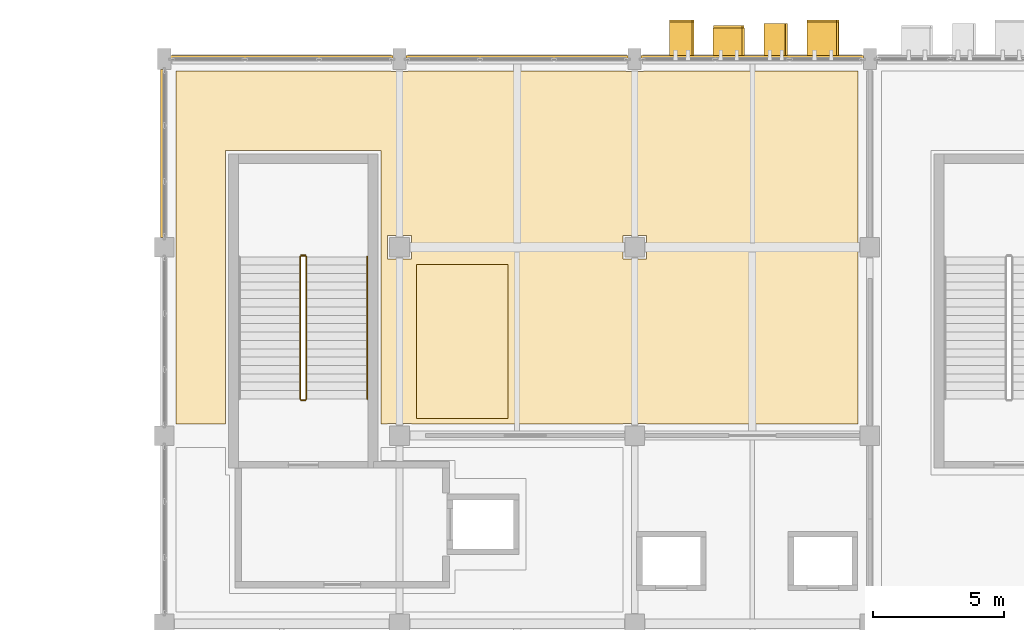
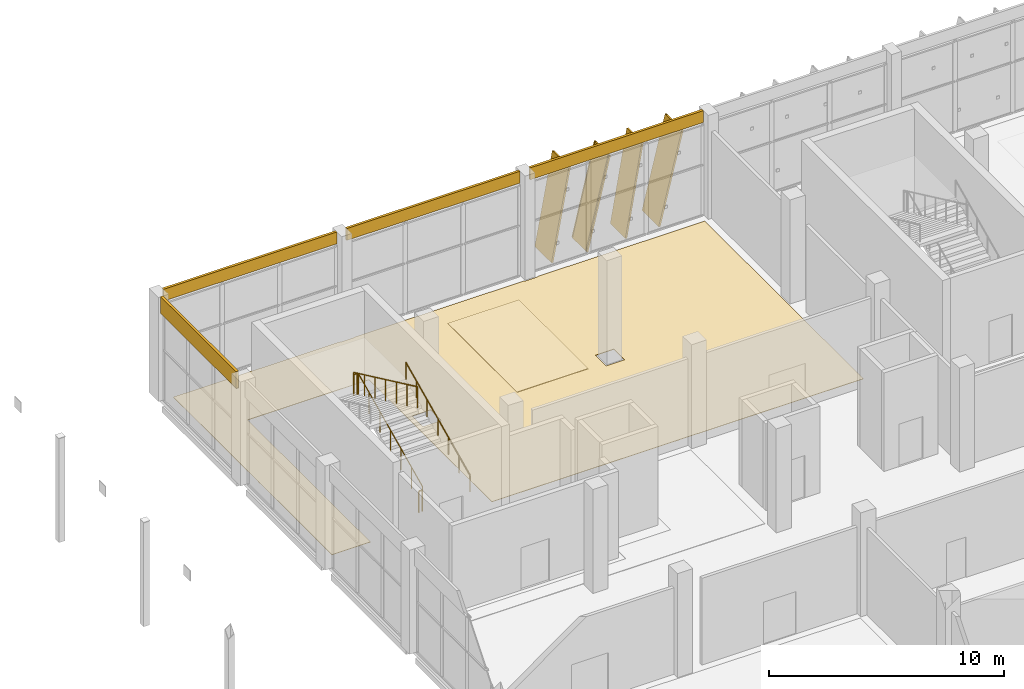
# One storey, part 178 of 189: 10 coverings, 5 railings, 4 shading devices.
"""IFC4 building model written with IfcOpenShell, lengths in metres."""

from ifc_helpers import new_model, si_unit, direction, frame, origin, origin_2d, place, context, subcontext, project, spatial, polyline, rectangle, circle, outline, extrude, material, layer, layer_set, material_profile, profile_set, type_object, element, save


model = new_model("IFC4")

# Units and contexts
model_context = context("Model", 3, precision=1e-05, world=origin(), true_north=direction((0.0, 1.0)))
body_context = subcontext(model_context, "Body", "Model", "MODEL_VIEW")
ifc_project = project(units=[si_unit("LENGTHUNIT", "METRE"), si_unit("AREAUNIT", "SQUARE_METRE"), si_unit("VOLUMEUNIT", "CUBIC_METRE"), si_unit("PLANEANGLEUNIT", "RADIAN"), si_unit("MASSUNIT", "GRAM", prefix="KILO")], contexts=[model_context])

# Site, building, storey
site_placement = place(None, origin())
site = spatial("IfcSite", under=ifc_project, at=site_placement, CompositionType="ELEMENT")
building_placement = place(site_placement, origin())
building = spatial("IfcBuilding", under=site, at=building_placement, Name="Celestram Park Convention Centre", CompositionType="ELEMENT")
storey_placement = place(building_placement, frame((0.0, 0.0, 5.39990234375)))
storey = spatial("IfcBuildingStorey", under=building, at=storey_placement, Name="L01", CompositionType="ELEMENT", Elevation=5.39990234375)

# Coverings
ifc_material_1 = material(Name="Anodised Bronze Aluminium Spandrel Cladding", Category="aluminium")
ifc_layer_1 = layer(ifc_material_1, 0.050048828125)
ifc_layer_set_1 = layer_set([ifc_layer_1], Name="Anodised Bronze Aluminium Spandrel Cladding")
covering_type_1 = type_object("IfcCoveringType", Name="ARC-COV-CLD060", PredefinedType="CLADDING", material=ifc_layer_set_1)
covering_1_placement = place(storey_placement, frame((35.919921875, 162.0, 4.528076171875), z_axis=(0.0, 0.0, 1.0), x_axis=(0.0, 1.0, 0.0)))
element("IfcCovering", 1, at=covering_1_placement, inside=storey, type_object=covering_type_1, Name="Bronze spandrel cladding CL-L01-054", PredefinedType="CLADDING", context=body_context, shape_type="SweptSolid", body=[
    extrude(rectangle(XDim=6.428955078125, YDim=0.1201171875, at=origin_2d()), origin(), (0.0, 0.0, 1.0), 0.8720703125),
])
for number, where, z_axis, x_axis, name in (
    (2, (40.5, 165.679931640625, 4.7841796875), (0.0, 0.0, 1.0), (1.0, 0.0, 0.0), "Bronze spandrel cladding CL-L01-055"),
    (3, (49.5, 165.679931640625, 4.7841796875), (0.0, 0.0, 1.0), (1.0, 0.0, 0.0), "Bronze spandrel cladding CL-L01-056"),
    (4, (58.5, 165.679931640625, 4.7841796875), (0.0, 0.0, 1.0), (1.0, 0.0, 0.0), "Bronze spandrel cladding CL-L01-057"),
):
    element("IfcCovering", number, at=place(storey_placement, frame(where, z_axis=z_axis, x_axis=x_axis)), inside=storey, type_object=covering_type_1, Name=name, PredefinedType="CLADDING", context=body_context, shape_type="SweptSolid", body=[
        extrude(rectangle(XDim=8.50390625, YDim=0.1201171875, at=origin_2d()), origin(), (0.0, 0.0, 1.0), 0.615966796875),
    ])
ifc_material_2 = material(Name="Perforated Acoustic Mineral-Fibre Baffle Ceiling", Category="gypsum")
ifc_layer_2 = layer(ifc_material_2, 0.0400390625)
ifc_layer_set_2 = layer_set([ifc_layer_2], Name="Perforated Acoustic Mineral-Fibre Baffle Ceiling")
covering_type_2 = type_object("IfcCoveringType", Name="ARC-COV-CLG040", PredefinedType="CEILING", material=ifc_layer_set_2)
covering_2_placement = place(storey_placement, frame((0.0, 0.0, 5.080078125)))
element("IfcCovering", 5, at=covering_2_placement, inside=storey, type_object=covering_type_2, Name="Breakout Seminar Room 104 acoustic baffle ceiling", PredefinedType="CEILING", context=body_context, shape_type="SweptSolid", body=[
    extrude(outline(polyline([(45.64990234375, 151.85009765625), (49.14990234375, 151.85009765625), (49.14990234375, 157.75), (45.64990234375, 157.75), (45.64990234375, 151.85009765625)])), origin(), (0.0, 0.0, 1.0), 0.0400390625),
])
ifc_material_3 = material(Name="Timber-Toned Anodised Aluminium Alloy 6063-T6", Category="wood")
ifc_material_profile_1 = material_profile(ifc_material_3, rectangle(XDim=1.1201171875, YDim=0.090087890625, at=origin_2d()), Name="REED1120X90")
ifc_profile_set_1 = profile_set([ifc_material_profile_1], Name="Timber-Toned Anodised Aluminium Alloy 6063-T6")
covering_type_3 = type_object("IfcCoveringType", Name="ARC-COV-FIN1120", PredefinedType="CLADDING", material=ifc_profile_set_1)
covering_3_placement = place(storey_placement, frame((57.049072265625, 166.239990234375, 0.06982421875), z_axis=(0.231766325176, 0.0, 0.972771489361), x_axis=(0.0, 1.0, 0.0)))
element("IfcCovering", 6, at=covering_3_placement, inside=storey, type_object=covering_type_3, Name="Leaning timber-toned reed fin RFN-L01-0149", PredefinedType="CLADDING", context=body_context, shape_type="SweptSolid", body=[
    extrude(rectangle(XDim=1.1201171875, YDim=0.090087890625, at=origin_2d()), origin(), (0.0, 0.0, 1.0), 4.75390625),
])
ifc_material_profile_2 = material_profile(ifc_material_3, rectangle(XDim=1.280029296875, YDim=0.090087890625, at=origin_2d()), Name="REED1280X90")
ifc_profile_set_2 = profile_set([ifc_material_profile_2], Name="Timber-Toned Anodised Aluminium Alloy 6063-T6")
covering_type_4 = type_object("IfcCoveringType", Name="ARC-COV-FIN1280", PredefinedType="CLADDING", material=ifc_profile_set_2)
covering_4_placement = place(storey_placement, frame((58.995361328125, 166.320068359375, 0.039794921875), z_axis=(0.170242256857, 0.0, 0.985402239687), x_axis=(0.0, 1.0, 0.0)))
element("IfcCovering", 7, at=covering_4_placement, inside=storey, type_object=covering_type_4, Name="Leaning timber-toned reed fin RFN-L01-0150", PredefinedType="CLADDING", context=body_context, shape_type="SweptSolid", body=[
    extrude(rectangle(XDim=1.280029296875, YDim=0.090087890625, at=origin_2d()), origin(), (0.0, 0.0, 1.0), 4.75390625),
])
ifc_material_profile_3 = material_profile(ifc_material_3, rectangle(XDim=1.419921875, YDim=0.090087890625, at=origin_2d()), Name="REED1420X90")
ifc_profile_set_3 = profile_set([ifc_material_profile_3], Name="Timber-Toned Anodised Aluminium Alloy 6063-T6")
covering_type_5 = type_object("IfcCoveringType", Name="ARC-COV-FIN1420", PredefinedType="CLADDING", material=ifc_profile_set_3)
for number, where, z_axis, x_axis, name in (
    (8, (55.370849609375, 166.389892578125, 0.044189453125), (0.180516672672, 0.0, 0.983571924613), (0.0, 1.0, 0.0), "Leaning timber-toned reed fin RFN-L01-0148"),
    (9, (60.633056640625, 166.389892578125, 0.07373046875), (0.238545978049, 0.0, 0.971131204502), (0.0, 1.0, 0.0), "Leaning timber-toned reed fin RFN-L01-0151"),
):
    element("IfcCovering", number, at=place(storey_placement, frame(where, z_axis=z_axis, x_axis=x_axis)), inside=storey, type_object=covering_type_5, Name=name, PredefinedType="CLADDING", context=body_context, shape_type="SweptSolid", body=[
        extrude(rectangle(XDim=1.419921875, YDim=0.090087890625, at=origin_2d()), origin(), (0.0, 0.0, 1.0), 4.75390625),
    ])
ifc_material_4 = material(Name="Polished Lakefront Aggregate Terrazzo Flooring", Category="concrete")
ifc_layer_3 = layer(ifc_material_4, 0.02001953125)
ifc_layer_set_3 = layer_set([ifc_layer_3], Name="Polished Lakefront Aggregate Terrazzo Flooring")
covering_type_6 = type_object("IfcCoveringType", Name="ARC-COV-FLR020", PredefinedType="FLOORING", material=ifc_layer_set_3)
covering_5_placement = place(storey_placement, origin())
element("IfcCovering", 10, at=covering_5_placement, inside=storey, type_object=covering_type_6, Name="Breakout Seminar Room 104 terrazzo flooring", PredefinedType="FLOORING", context=body_context, shape_type="SweptSolid", body=[
    extrude(outline(polyline([(44.672119140625, 165.14990234375), (44.672119140625, 165.1220703125), (45.327880859375, 165.1220703125), (45.327880859375, 165.14990234375), (53.672119140625, 165.14990234375), (53.672119140625, 165.1220703125), (54.327880859375, 165.1220703125), (54.327880859375, 165.14990234375), (62.550048828125, 165.14990234375), (62.550048828125, 158.85302734375), (62.547119140625, 158.85302734375), (62.547119140625, 157.947021484375), (62.550048828125, 157.947021484375), (62.550048828125, 151.653076171875), (62.547119140625, 151.653076171875), (62.547119140625, 151.64990234375), (54.452880859375, 151.64990234375), (54.452880859375, 151.653076171875), (53.547119140625, 151.653076171875), (53.547119140625, 151.64990234375), (45.452880859375, 151.64990234375), (45.452880859375, 151.653076171875), (44.547119140625, 151.653076171875), (44.547119140625, 151.64990234375), (44.300048828125, 151.64990234375), (44.300048828125, 162.10009765625), (38.340087890625, 162.10009765625), (38.340087890625, 151.64990234375), (36.452880859375, 151.64990234375), (36.452880859375, 151.653076171875), (36.449951171875, 151.653076171875), (36.449951171875, 157.947021484375), (36.452880859375, 157.947021484375), (36.452880859375, 158.85302734375), (36.449951171875, 158.85302734375), (36.449951171875, 165.14990234375), (44.672119140625, 165.14990234375)]), holes=[polyline([(45.452880859375, 158.85302734375), (44.547119140625, 158.85302734375), (44.547119140625, 157.947021484375), (45.452880859375, 157.947021484375), (45.452880859375, 158.85302734375)]), polyline([(54.452880859375, 158.85302734375), (53.547119140625, 158.85302734375), (53.547119140625, 157.947021484375), (54.452880859375, 157.947021484375), (54.452880859375, 158.85302734375)])]), origin(), (0.0, 0.0, 1.0), 0.02001953125),
])

# Shading devices
ifc_material_5 = material(Name="Anodised Bronze Aluminium Alloy 6063-T6", Category="aluminium")
ifc_material_profile_4 = material_profile(ifc_material_5, rectangle(XDim=1.280029296875, YDim=0.080078125, at=origin_2d()), Name="FIN1280X80")
ifc_profile_set_4 = profile_set([ifc_material_profile_4], Name="Anodised Bronze Aluminium Alloy 6063-T6")
shading_device_type = type_object("IfcShadingDeviceType", Name="ARC-FIN-BZ1280", PredefinedType="USERDEFINED", material=ifc_profile_set_4)
for number, where, z_axis, x_axis, name in (
    (11, (55.370849609375, 166.389892578125, 0.044189453125), (0.180516672672, 0.0, 0.983571924613), (0.0, 1.0, 0.0), "Expressive solar fin FN-L01-0148"),
    (12, (57.049072265625, 166.239990234375, 0.06982421875), (0.231766325176, 0.0, 0.972771489361), (0.0, 1.0, 0.0), "Expressive solar fin FN-L01-0149"),
    (13, (58.995361328125, 166.320068359375, 0.039794921875), (0.170242256857, 0.0, 0.985402239687), (0.0, 1.0, 0.0), "Expressive solar fin FN-L01-0150"),
    (14, (60.633056640625, 166.389892578125, 0.07373046875), (0.238545978049, 0.0, 0.971131204502), (0.0, 1.0, 0.0), "Expressive solar fin FN-L01-0151"),
):
    element("IfcShadingDevice", number, at=place(storey_placement, frame(where, z_axis=z_axis, x_axis=x_axis)), inside=storey, type_object=shading_device_type, Name=name, ObjectType="SOLAR_FIN", PredefinedType="USERDEFINED", context=body_context, shape_type="SweptSolid", body=[
        extrude(rectangle(XDim=1.280029296875, YDim=0.080078125, at=origin_2d()), origin(), (0.0, 0.0, 1.0), 4.75390625),
    ])

# Railings
ifc_material_6 = material(Name="Stainless Steel AISI 316L & Laminated Glass", Category="steel")
ifc_layer_4 = layer(ifc_material_6, 0.06005859375)
ifc_layer_set_4 = layer_set([ifc_layer_4], Name="Stainless Steel AISI 316L & Laminated Glass")
railing_type_1 = type_object("IfcRailingType", Name="ARC-RL-GRD1120", PredefinedType="GUARDRAIL", material=ifc_layer_set_4)
railing_1_placement = place(storey_placement, frame((41.43603515625, 152.60009765625, 0.150146484375)))
element("IfcRailing", 15, at=railing_1_placement, inside=storey, type_object=railing_type_1, Name="L01 ST-01 stair guard 1", PredefinedType="GUARDRAIL", context=body_context, shape_type="SweptSolid", body=[
    extrude(circle(Radius=0.02392578125, at=origin_2d()), frame((0.0, 0.0, 1.09619140625), z_axis=(0.0, 0.90545405566, 0.424444287379), x_axis=(-1.0, 0.0, 0.0)), (0.0, 0.0, 1.0), 6.008056640625),
    extrude(circle(Radius=0.02099609375, at=origin_2d()), origin(), (0.0, 0.0, 1.0), 1.072021484375),
    extrude(circle(Radius=0.02099609375, at=origin_2d()), frame((0.0, 0.90673828125, 0.425048828125)), (0.0, 0.0, 1.0), 1.072021484375),
    extrude(circle(Radius=0.02099609375, at=origin_2d()), frame((0.0, 1.813232421875, 0.85009765625)), (0.0, 0.0, 1.0), 1.072021484375),
    extrude(circle(Radius=0.02099609375, at=origin_2d()), frame((0.0, 2.719970703125, 1.27490234375)), (0.0, 0.0, 1.0), 1.072021484375),
    extrude(circle(Radius=0.02099609375, at=origin_2d()), frame((0.0, 3.626708984375, 1.699951171875)), (0.0, 0.0, 1.0), 1.072021484375),
    extrude(circle(Radius=0.02099609375, at=origin_2d()), frame((0.0, 4.533203125, 2.125)), (0.0, 0.0, 1.0), 1.072021484375),
    extrude(circle(Radius=0.02099609375, at=origin_2d()), frame((0.0, 5.43994140625, 2.550048828125)), (0.0, 0.0, 1.0), 1.072021484375),
])
railing_2_placement = place(storey_placement, frame((41.39990234375, 158.090087890625, 2.7001953125)))
element("IfcRailing", 16, at=railing_2_placement, inside=storey, type_object=railing_type_1, Name="L01 ST-01 stair guard 2", PredefinedType="GUARDRAIL", context=body_context, shape_type="SweptSolid", body=[
    extrude(circle(Radius=0.02392578125, at=origin_2d()), frame((0.0, 0.0, 1.09619140625), z_axis=(-1.0, 0.0, 0.0), x_axis=(0.0, -1.0, 0.0)), (0.0, 0.0, 1.0), 0.159912109375),
    extrude(circle(Radius=0.02099609375, at=origin_2d()), origin(), (0.0, 0.0, 1.0), 1.072021484375),
    extrude(circle(Radius=0.02099609375, at=origin_2d()), frame((-0.159912109375, 0.0, 0.0)), (0.0, 0.0, 1.0), 1.072021484375),
])
railing_3_placement = place(storey_placement, frame((41.2041015625, 158.0400390625, 2.85009765625)))
element("IfcRailing", 17, at=railing_3_placement, inside=storey, type_object=railing_type_1, Name="L01 ST-01 stair guard 3", PredefinedType="GUARDRAIL", context=body_context, shape_type="SweptSolid", body=[
    extrude(circle(Radius=0.02392578125, at=origin_2d()), frame((0.0, 0.0, 1.09619140625), z_axis=(0.0, -0.90545405566, 0.424444287379), x_axis=(1.0, 0.0, 0.0)), (0.0, 0.0, 1.0), 6.008056640625),
    extrude(circle(Radius=0.02099609375, at=origin_2d()), origin(), (0.0, 0.0, 1.0), 1.072021484375),
    extrude(circle(Radius=0.02099609375, at=origin_2d()), frame((0.0, -0.90673828125, 0.425048828125)), (0.0, 0.0, 1.0), 1.072021484375),
    extrude(circle(Radius=0.02099609375, at=origin_2d()), frame((0.0, -1.813232421875, 0.85009765625)), (0.0, 0.0, 1.0), 1.072021484375),
    extrude(circle(Radius=0.02099609375, at=origin_2d()), frame((0.0, -2.719970703125, 1.27490234375)), (0.0, 0.0, 1.0), 1.072021484375),
    extrude(circle(Radius=0.02099609375, at=origin_2d()), frame((0.0, -3.626708984375, 1.699951171875)), (0.0, 0.0, 1.0), 1.072021484375),
    extrude(circle(Radius=0.02099609375, at=origin_2d()), frame((0.0, -4.533203125, 2.125)), (0.0, 0.0, 1.0), 1.072021484375),
    extrude(circle(Radius=0.02099609375, at=origin_2d()), frame((0.0, -5.43994140625, 2.550048828125)), (0.0, 0.0, 1.0), 1.072021484375),
])
railing_4_placement = place(storey_placement, frame((41.39990234375, 152.550048828125, 0.0)))
element("IfcRailing", 18, at=railing_4_placement, inside=storey, type_object=railing_type_1, Name="L01 ST-01 stair guard 4", PredefinedType="GUARDRAIL", context=body_context, shape_type="SweptSolid", body=[
    extrude(circle(Radius=0.02392578125, at=origin_2d()), frame((0.0, 0.0, 1.09619140625), z_axis=(-1.0, 0.0, 0.0), x_axis=(0.0, -1.0, 0.0)), (0.0, 0.0, 1.0), 0.159912109375),
    extrude(circle(Radius=0.02099609375, at=origin_2d()), origin(), (0.0, 0.0, 1.0), 1.072021484375),
    extrude(circle(Radius=0.02099609375, at=origin_2d()), frame((-0.159912109375, 0.0, 0.0)), (0.0, 0.0, 1.0), 1.072021484375),
])
ifc_material_7 = material(Name="Brushed Stainless Steel AISI 304", Category="steel")
ifc_layer_5 = layer(ifc_material_7, 0.048095703125)
ifc_layer_set_5 = layer_set([ifc_layer_5], Name="Brushed Stainless Steel AISI 304")
railing_type_2 = type_object("IfcRailingType", Name="ARC-RL-HND915", PredefinedType="HANDRAIL", material=ifc_layer_set_5)
railing_5_placement = place(storey_placement, frame((43.763916015625, 152.60009765625, 0.150146484375)))
element("IfcRailing", 19, at=railing_5_placement, inside=storey, type_object=railing_type_2, Name="L01 ST-01 stair handrail 1", PredefinedType="HANDRAIL", context=body_context, shape_type="SweptSolid", body=[
    extrude(circle(Radius=0.02392578125, at=origin_2d()), frame((0.0, 0.0, 0.8759765625), z_axis=(0.0, 0.90545405566, 0.424444287379), x_axis=(-1.0, 0.0, 0.0)), (0.0, 0.0, 1.0), 6.008056640625),
    extrude(circle(Radius=0.02099609375, at=origin_2d()), origin(), (0.0, 0.0, 1.0), 0.851806640625),
    extrude(circle(Radius=0.02099609375, at=origin_2d()), frame((0.0, 0.90673828125, 0.425048828125)), (0.0, 0.0, 1.0), 0.851806640625),
    extrude(circle(Radius=0.02099609375, at=origin_2d()), frame((0.0, 1.813232421875, 0.85009765625)), (0.0, 0.0, 1.0), 0.851806640625),
    extrude(circle(Radius=0.02099609375, at=origin_2d()), frame((0.0, 2.719970703125, 1.27490234375)), (0.0, 0.0, 1.0), 0.851806640625),
    extrude(circle(Radius=0.02099609375, at=origin_2d()), frame((0.0, 3.626708984375, 1.699951171875)), (0.0, 0.0, 1.0), 0.851806640625),
    extrude(circle(Radius=0.02099609375, at=origin_2d()), frame((0.0, 4.533203125, 2.125)), (0.0, 0.0, 1.0), 0.851806640625),
    extrude(circle(Radius=0.02099609375, at=origin_2d()), frame((0.0, 5.43994140625, 2.550048828125)), (0.0, 0.0, 1.0), 0.851806640625),
])

save(model, "model.ifc")
